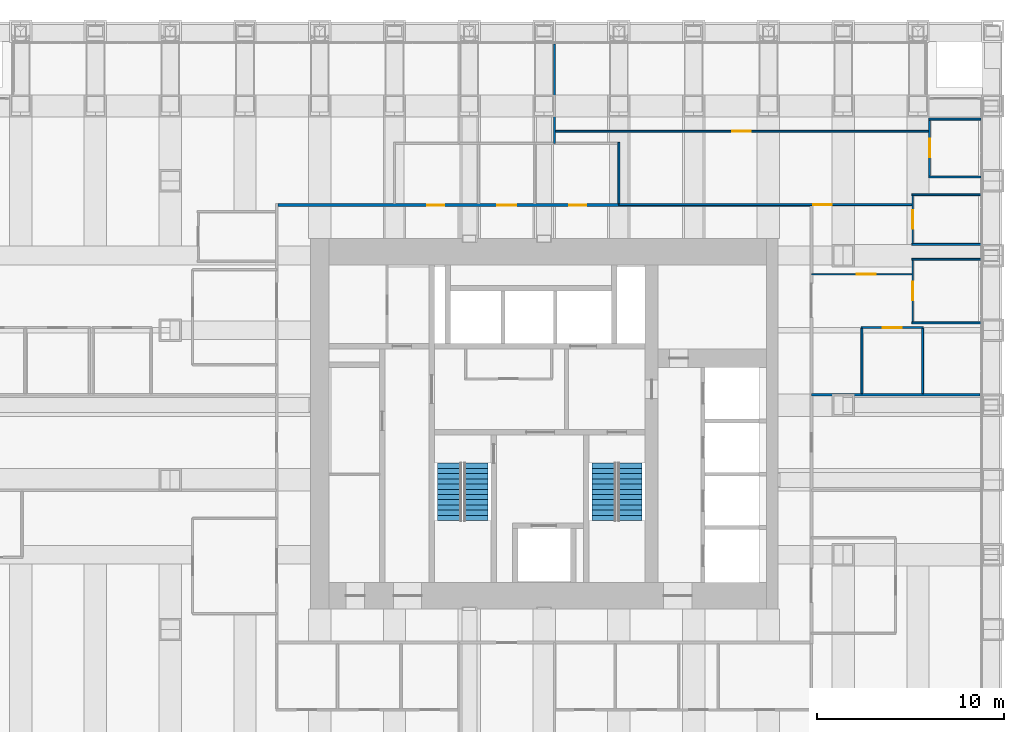
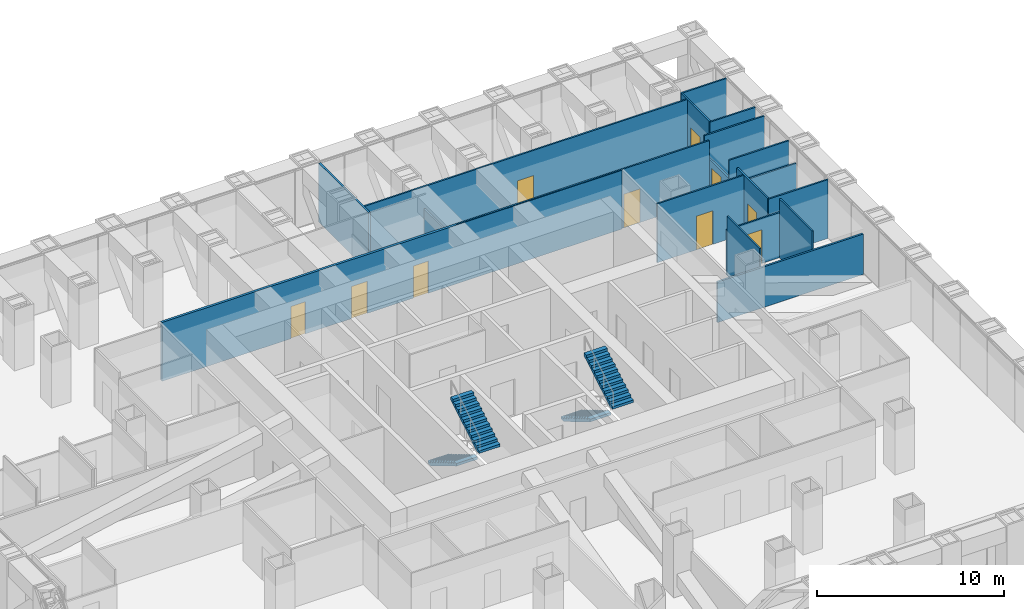
# One storey, part 15 of 18: 19 walls, 10 doors, 4 stair flights, 10 openings, 2 elements without a shape of their own.
"""IFC4 building model written with IfcOpenShell, lengths in metres."""

from ifc_helpers import new_model, si_unit, direction, frame, frame_2d, origin, place, context, subcontext, project, spatial, polyline, rectangle, outline, extrude, material, layer, layer_set, type_object, element, fill, aggregate, save


model = new_model("IFC4")

# Units and contexts
model_context = context("Model", 3, precision=1e-05, world=origin(), true_north=direction((0.0, 1.0)))
body_context = subcontext(model_context, "Body", "Model", "MODEL_VIEW")
ifc_project = project(units=[si_unit("LENGTHUNIT", "METRE"), si_unit("AREAUNIT", "SQUARE_METRE"), si_unit("VOLUMEUNIT", "CUBIC_METRE"), si_unit("PLANEANGLEUNIT", "RADIAN"), si_unit("MASSUNIT", "GRAM", prefix="KILO")], contexts=[model_context])

# Site, building, storey
site_placement = place(None, origin())
site = spatial("IfcSite", under=ifc_project, at=site_placement, CompositionType="ELEMENT")
building_placement = place(site_placement, origin())
building = spatial("IfcBuilding", under=site, at=building_placement, Name="Rimbunsela Tower", CompositionType="ELEMENT")
storey_placement = place(building_placement, frame((0.0, 0.0, 43.0)))
storey = spatial("IfcBuildingStorey", under=building, at=storey_placement, Name="L10", CompositionType="ELEMENT", Elevation=43.0)

# Wall, opening, door
ifc_material_1 = material(Name="Gypsum board on steel studs", Category="steel")
ifc_layer_1 = layer(ifc_material_1, 0.10009765625)
ifc_layer_set_1 = layer_set([ifc_layer_1], Name="Office partition 100")
wall_type_1 = type_object("IfcWallType", Name="Office partition 100", PredefinedType="PARTITIONING", material=ifc_layer_set_1)
wall_1_placement = place(storey_placement, frame((46.949951171875, 32.14990234375, 0.0), z_axis=(0.0, 0.0, 1.0), x_axis=(1.0, 0.0, 0.0)))
wall_1 = element("IfcWall", 1, at=wall_1_placement, inside=storey, type_object=wall_type_1, Name="Office partition", PredefinedType="PARTITIONING", context=body_context, shape_type="SweptSolid", body=[
    extrude(rectangle(XDim=3.35009765625, YDim=0.10009765625, at=frame_2d((1.675048828125, 0.0))), origin(), (0.0, 0.0, 1.0), 2.949951171875),
])
opening_1_placement = place(wall_1_placement, frame((1.175048828125, 0.0, 0.0)))
opening_1 = element("IfcOpeningElement", 2, at=opening_1_placement, cuts=wall_1, Name="Opening D16", PredefinedType="OPENING", context=body_context, shape_type="SweptSolid", body=[
    extrude(rectangle(XDim=1.0, YDim=2.199951171875, at=frame_2d((0.5, 1.10009765625))), frame((0.0, 0.06005859375, 0.0), z_axis=(0.0, -1.0, 0.0), x_axis=(1.0, 0.0, 0.0)), (0.0, 0.0, 1.0), 0.1201171875),
])
ifc_material_2 = material(Name="Timber door", Category="wood")
door_type_1 = type_object("IfcDoorType", Name="Office door 1000", OperationType="SINGLE_SWING_LEFT", PredefinedType="DOOR", material=ifc_material_2)
door_1_placement = place(opening_1_placement, origin())
door_1 = element("IfcDoor", 3, at=door_1_placement, inside=storey, type_object=door_type_1, Name="Office door", OperationType="SINGLE_SWING_LEFT", OverallHeight=2.199951171875, OverallWidth=1.0, PredefinedType="DOOR", context=body_context, shape_type="SweptSolid", body=[
    extrude(rectangle(XDim=1.0, YDim=2.199951171875, at=frame_2d((0.5, 1.10009765625))), frame((0.0, 0.02490234375, 0.0), z_axis=(0.0, -1.0, 0.0), x_axis=(1.0, 0.0, 0.0)), (0.0, 0.0, 1.0), 0.050048828125),
])
fill(opening_1, door_1)

# Walls
wall_2_placement = place(storey_placement, frame((49.669921875, 32.39990234375, 0.0), z_axis=(0.0, 0.0, 1.0), x_axis=(1.0, 0.0, 0.0)))
element("IfcWall", 4, at=wall_2_placement, inside=storey, type_object=wall_type_1, Name="Office partition", PredefinedType="PARTITIONING", context=body_context, shape_type="SweptSolid", body=[
    extrude(rectangle(XDim=3.7001953125, YDim=0.10009765625, at=frame_2d((1.85009765625, 0.0))), origin(), (0.0, 0.0, 1.0), 3.85009765625),
])
wall_3_placement = place(storey_placement, frame((49.669921875, 35.800048828125, 0.0), z_axis=(0.0, 0.0, 1.0), x_axis=(1.0, 0.0, 0.0)))
element("IfcWall", 5, at=wall_3_placement, inside=storey, type_object=wall_type_1, Name="Office partition", PredefinedType="PARTITIONING", context=body_context, shape_type="SweptSolid", body=[
    extrude(rectangle(XDim=3.7001953125, YDim=0.10009765625, at=frame_2d((1.85009765625, 0.0))), origin(), (0.0, 0.0, 1.0), 2.85009765625),
])
for number, where, z_axis, x_axis, name in (
    (6, (49.669921875, 36.60009765625, 0.0), (0.0, 0.0, 1.0), (1.0, 0.0, 0.0), "Office partition"),
    (7, (49.669921875, 39.25, 0.0), (0.0, 0.0, 1.0), (1.0, 0.0, 0.0), "Office partition"),
):
    element("IfcWall", number, at=place(storey_placement, frame(where, z_axis=z_axis, x_axis=x_axis)), inside=storey, type_object=wall_type_1, Name=name, PredefinedType="PARTITIONING", context=body_context, shape_type="SweptSolid", body=[
        extrude(rectangle(XDim=3.7001953125, YDim=0.10009765625, at=frame_2d((1.85009765625, 0.0))), origin(), (0.0, 0.0, 1.0), 3.85009765625),
    ])
for number, where, z_axis, x_axis, name in (
    (8, (50.570068359375, 40.199951171875, 0.0), (0.0, 0.0, 1.0), (1.0, 0.0, 0.0), "Office partition"),
    (9, (50.570068359375, 43.300048828125, 0.0), (0.0, 0.0, 1.0), (1.0, 0.0, 0.0), "Office partition"),
):
    element("IfcWall", number, at=place(storey_placement, frame(where, z_axis=z_axis, x_axis=x_axis)), inside=storey, type_object=wall_type_1, Name=name, PredefinedType="PARTITIONING", context=body_context, shape_type="SweptSolid", body=[
        extrude(rectangle(XDim=2.800048828125, YDim=0.10009765625, at=frame_2d((1.39990234375, 0.0))), origin(), (0.0, 0.0, 1.0), 3.85009765625),
    ])
wall_4_placement = place(storey_placement, frame((47.0, 28.610107421875, 0.0), z_axis=(0.0, 0.0, 1.0), x_axis=(0.0, 1.0, 0.0)))
element("IfcWall", 10, at=wall_4_placement, inside=storey, type_object=wall_type_1, Name="Office partition", PredefinedType="PARTITIONING", context=body_context, shape_type="SweptSolid", body=[
    extrude(rectangle(XDim=3.489990234375, YDim=0.10009765625, at=frame_2d((1.7451171875, 0.0))), origin(), (0.0, 0.0, 1.0), 3.85009765625),
])

# Wall, opening, door
wall_5_placement = place(storey_placement, frame((49.719970703125, 32.449951171875, 0.0), z_axis=(0.0, 0.0, 1.0), x_axis=(0.0, 1.0, 0.0)))
wall_5 = element("IfcWall", 11, at=wall_5_placement, inside=storey, type_object=wall_type_1, Name="Office partition", PredefinedType="PARTITIONING", context=body_context, shape_type="SweptSolid", body=[
    extrude(rectangle(XDim=3.300048828125, YDim=0.10009765625, at=frame_2d((1.64990234375, 0.0))), origin(), (0.0, 0.0, 1.0), 3.85009765625),
])
opening_2_placement = place(wall_5_placement, frame((1.14990234375, 0.0, 0.0)))
opening_2 = element("IfcOpeningElement", 12, at=opening_2_placement, cuts=wall_5, Name="Opening D16", PredefinedType="OPENING", context=body_context, shape_type="SweptSolid", body=[
    extrude(rectangle(XDim=1.0, YDim=2.199951171875, at=frame_2d((0.5, 1.10009765625))), frame((0.0, 0.06005859375, 0.0), z_axis=(0.0, -1.0, 0.0), x_axis=(1.0, 0.0, 0.0)), (0.0, 0.0, 1.0), 0.1201171875),
])
door_2_placement = place(opening_2_placement, origin())
door_2 = element("IfcDoor", 13, at=door_2_placement, inside=storey, type_object=door_type_1, Name="Office door", OperationType="SINGLE_SWING_LEFT", OverallHeight=2.199951171875, OverallWidth=1.0, PredefinedType="DOOR", context=body_context, shape_type="SweptSolid", body=[
    extrude(rectangle(XDim=1.0, YDim=2.199951171875, at=frame_2d((0.5, 1.10009765625))), frame((0.0, 0.02490234375, 0.0), z_axis=(0.0, -1.0, 0.0), x_axis=(1.0, 0.0, 0.0)), (0.0, 0.0, 1.0), 0.050048828125),
])
fill(opening_2, door_2)

wall_6_placement = place(storey_placement, frame((49.719970703125, 36.64990234375, 0.0), z_axis=(0.0, 0.0, 1.0), x_axis=(0.0, 1.0, 0.0)))
wall_6 = element("IfcWall", 14, at=wall_6_placement, inside=storey, type_object=wall_type_1, Name="Office partition", PredefinedType="PARTITIONING", context=body_context, shape_type="SweptSolid", body=[
    extrude(rectangle(XDim=2.550048828125, YDim=0.10009765625, at=frame_2d((1.27490234375, 0.0))), origin(), (0.0, 0.0, 1.0), 2.64990234375),
])
opening_3_placement = place(wall_6_placement, frame((0.77490234375, 0.0, 0.0)))
opening_3 = element("IfcOpeningElement", 15, at=opening_3_placement, cuts=wall_6, Name="Opening D16", PredefinedType="OPENING", context=body_context, shape_type="SweptSolid", body=[
    extrude(rectangle(XDim=1.0, YDim=2.199951171875, at=frame_2d((0.5, 1.10009765625))), frame((0.0, 0.06005859375, 0.0), z_axis=(0.0, -1.0, 0.0), x_axis=(1.0, 0.0, 0.0)), (0.0, 0.0, 1.0), 0.1201171875),
])
door_3_placement = place(opening_3_placement, origin())
door_3 = element("IfcDoor", 16, at=door_3_placement, inside=storey, type_object=door_type_1, Name="Office door", OperationType="SINGLE_SWING_LEFT", OverallHeight=2.199951171875, OverallWidth=1.0, PredefinedType="DOOR", context=body_context, shape_type="SweptSolid", body=[
    extrude(rectangle(XDim=1.0, YDim=2.199951171875, at=frame_2d((0.5, 1.10009765625))), frame((0.0, 0.02490234375, 0.0), z_axis=(0.0, -1.0, 0.0), x_axis=(1.0, 0.0, 0.0)), (0.0, 0.0, 1.0), 0.050048828125),
])
fill(opening_3, door_3)

# Wall
wall_7_placement = place(storey_placement, frame((50.25, 28.610107421875, 0.0), z_axis=(0.0, 0.0, 1.0), x_axis=(0.0, 1.0, 0.0)))
element("IfcWall", 17, at=wall_7_placement, inside=storey, type_object=wall_type_1, Name="Office partition", PredefinedType="PARTITIONING", context=body_context, shape_type="SweptSolid", body=[
    extrude(rectangle(XDim=3.489990234375, YDim=0.10009765625, at=frame_2d((1.7451171875, 0.0))), origin(), (0.0, 0.0, 1.0), 3.85009765625),
])

# Wall, opening, door
wall_8_placement = place(storey_placement, frame((50.6201171875, 40.25, 0.0), z_axis=(0.0, 0.0, 1.0), x_axis=(0.0, 1.0, 0.0)))
wall_8 = element("IfcWall", 18, at=wall_8_placement, inside=storey, type_object=wall_type_1, Name="Office partition", PredefinedType="PARTITIONING", context=body_context, shape_type="SweptSolid", body=[
    extrude(rectangle(XDim=3.0, YDim=0.10009765625, at=frame_2d((1.5, 0.0))), origin(), (0.0, 0.0, 1.0), 3.85009765625),
])
opening_4_placement = place(wall_8_placement, frame((1.0, 0.0, 0.0)))
opening_4 = element("IfcOpeningElement", 19, at=opening_4_placement, cuts=wall_8, Name="Opening D16", PredefinedType="OPENING", context=body_context, shape_type="SweptSolid", body=[
    extrude(rectangle(XDim=1.0, YDim=2.199951171875, at=frame_2d((0.5, 1.10009765625))), frame((0.0, 0.06005859375, 0.0), z_axis=(0.0, -1.0, 0.0), x_axis=(1.0, 0.0, 0.0)), (0.0, 0.0, 1.0), 0.1201171875),
])
door_4_placement = place(opening_4_placement, origin())
door_4 = element("IfcDoor", 20, at=door_4_placement, inside=storey, type_object=door_type_1, Name="Office door", OperationType="SINGLE_SWING_LEFT", OverallHeight=2.199951171875, OverallWidth=1.0, PredefinedType="DOOR", context=body_context, shape_type="SweptSolid", body=[
    extrude(rectangle(XDim=1.0, YDim=2.199951171875, at=frame_2d((0.5, 1.10009765625))), frame((0.0, 0.02490234375, 0.0), z_axis=(0.0, -1.0, 0.0), x_axis=(1.0, 0.0, 0.0)), (0.0, 0.0, 1.0), 0.050048828125),
])
fill(opening_4, door_4)

wall_9_placement = place(storey_placement, frame((49.669921875, 35.0, 0.0), z_axis=(0.0, 0.0, 1.0), x_axis=(-1.0, 0.0, 0.0)))
wall_9 = element("IfcWall", 21, at=wall_9_placement, inside=storey, type_object=wall_type_1, Name="Office partition", PredefinedType="PARTITIONING", context=body_context, shape_type="SweptSolid", body=[
    extrude(rectangle(XDim=5.369873046875, YDim=0.10009765625, at=frame_2d((2.68505859375, 0.0))), origin(), (0.0, 0.0, 1.0), 3.85009765625),
])
opening_5_placement = place(wall_9_placement, frame((1.93505859375, 0.0, 0.0)))
opening_5 = element("IfcOpeningElement", 22, at=opening_5_placement, cuts=wall_9, Name="Opening D17", PredefinedType="OPENING", context=body_context, shape_type="SweptSolid", body=[
    extrude(rectangle(XDim=1.0, YDim=2.199951171875, at=frame_2d((0.5, 1.10009765625))), frame((0.0, 0.06005859375, 0.0), z_axis=(0.0, -1.0, 0.0), x_axis=(1.0, 0.0, 0.0)), (0.0, 0.0, 1.0), 0.1201171875),
])
ifc_material_3 = material(Name="Glazed aluminium door", Category="aluminium")
door_type_2 = type_object("IfcDoorType", Name="Meeting room door 1000 glazed", OperationType="SINGLE_SWING_RIGHT", PredefinedType="DOOR", material=ifc_material_3)
door_5_placement = place(opening_5_placement, origin())
door_5 = element("IfcDoor", 23, at=door_5_placement, inside=storey, type_object=door_type_2, Name="Open office screen door", OperationType="SINGLE_SWING_RIGHT", OverallHeight=2.199951171875, OverallWidth=1.0, PredefinedType="DOOR", context=body_context, shape_type="SweptSolid", body=[
    extrude(rectangle(XDim=1.0, YDim=2.199951171875, at=frame_2d((0.5, 1.10009765625))), frame((0.0, 0.02490234375, 0.0), z_axis=(0.0, -1.0, 0.0), x_axis=(1.0, 0.0, 0.0)), (0.0, 0.0, 1.0), 0.050048828125),
])
fill(opening_5, door_5)

wall_10_placement = place(storey_placement, frame((49.669921875, 38.72509765625, 0.0), z_axis=(0.0, 0.0, 1.0), x_axis=(-1.0, 0.0, 0.0)))
wall_10 = element("IfcWall", 24, at=wall_10_placement, inside=storey, type_object=wall_type_1, Name="Office partition", PredefinedType="PARTITIONING", context=body_context, shape_type="SweptSolid", body=[
    extrude(rectangle(XDim=15.669921875, YDim=0.10009765625, at=frame_2d((7.8349609375, 0.0))), origin(), (0.0, 0.0, 1.0), 3.85009765625),
])
opening_6_placement = place(wall_10_placement, frame((4.284912109375, 0.0, 0.0)))
opening_6 = element("IfcOpeningElement", 25, at=opening_6_placement, cuts=wall_10, Name="Opening D17", PredefinedType="OPENING", context=body_context, shape_type="SweptSolid", body=[
    extrude(rectangle(XDim=1.0, YDim=2.199951171875, at=frame_2d((0.5, 1.10009765625))), frame((0.0, 0.06005859375, 0.0), z_axis=(0.0, -1.0, 0.0), x_axis=(1.0, 0.0, 0.0)), (0.0, 0.0, 1.0), 0.1201171875),
])
door_6_placement = place(opening_6_placement, origin())
door_6 = element("IfcDoor", 26, at=door_6_placement, inside=storey, type_object=door_type_2, Name="Open office screen door", OperationType="SINGLE_SWING_RIGHT", OverallHeight=2.199951171875, OverallWidth=1.0, PredefinedType="DOOR", context=body_context, shape_type="SweptSolid", body=[
    extrude(rectangle(XDim=1.0, YDim=2.199951171875, at=frame_2d((0.5, 1.10009765625))), frame((0.0, 0.02490234375, 0.0), z_axis=(0.0, -1.0, 0.0), x_axis=(1.0, 0.0, 0.0)), (0.0, 0.0, 1.0), 0.050048828125),
])
fill(opening_6, door_6)

wall_11_placement = place(storey_placement, frame((50.570068359375, 42.64990234375, 0.0), z_axis=(0.0, 0.0, 1.0), x_axis=(-1.0, 0.0, 0.0)))
wall_11 = element("IfcWall", 27, at=wall_11_placement, inside=storey, type_object=wall_type_1, Name="Office partition", PredefinedType="PARTITIONING", context=body_context, shape_type="SweptSolid", body=[
    extrude(rectangle(XDim=20.01904296875, YDim=0.10009765625, at=frame_2d((10.009521484375, 0.0))), origin(), (0.0, 0.0, 1.0), 3.85009765625),
])
opening_7_placement = place(wall_11_placement, frame((9.509521484375, 0.0, 0.0)))
opening_7 = element("IfcOpeningElement", 28, at=opening_7_placement, cuts=wall_11, Name="Opening D17", PredefinedType="OPENING", context=body_context, shape_type="SweptSolid", body=[
    extrude(rectangle(XDim=1.0, YDim=2.199951171875, at=frame_2d((0.5, 1.10009765625))), frame((0.0, 0.06005859375, 0.0), z_axis=(0.0, -1.0, 0.0), x_axis=(1.0, 0.0, 0.0)), (0.0, 0.0, 1.0), 0.1201171875),
])
door_7_placement = place(opening_7_placement, origin())
door_7 = element("IfcDoor", 29, at=door_7_placement, inside=storey, type_object=door_type_2, Name="Open office screen door", OperationType="SINGLE_SWING_RIGHT", OverallHeight=2.199951171875, OverallWidth=1.0, PredefinedType="DOOR", context=body_context, shape_type="SweptSolid", body=[
    extrude(rectangle(XDim=1.0, YDim=2.199951171875, at=frame_2d((0.5, 1.10009765625))), frame((0.0, 0.02490234375, 0.0), z_axis=(0.0, -1.0, 0.0), x_axis=(1.0, 0.0, 0.0)), (0.0, 0.0, 1.0), 0.050048828125),
])
fill(opening_7, door_7)

# Wall, openings, doors
ifc_material_4 = material(Name="Fire-rated gypsum board on steel studs, EI 60", Category="steel")
ifc_layer_2 = layer(ifc_material_4, 0.14990234375)
ifc_layer_set_2 = layer_set([ifc_layer_2], Name="Rated corridor wall 150")
wall_type_2 = type_object("IfcWallType", Name="Rated corridor wall 150", PredefinedType="PARTITIONING", material=ifc_layer_set_2)
wall_12_placement = place(storey_placement, frame((15.77490234375, 38.699951171875, 0.0), z_axis=(0.0, 0.0, 1.0), x_axis=(1.0, 0.0, 0.0)))
wall_12 = element("IfcWall", 30, at=wall_12_placement, inside=storey, type_object=wall_type_2, Name="Corridor wall north", PredefinedType="PARTITIONING", context=body_context, shape_type="SweptSolid", body=[
    extrude(rectangle(XDim=28.4501953125, YDim=0.14990234375, at=frame_2d((14.22509765625, 0.0))), origin(), (0.0, 0.0, 1.0), 3.85009765625),
])
opening_8_placement = place(wall_12_placement, frame((7.97509765625, 0.0, 0.0)))
opening_8 = element("IfcOpeningElement", 31, at=opening_8_placement, cuts=wall_12, Name="Opening D04", PredefinedType="OPENING", context=body_context, shape_type="SweptSolid", body=[
    extrude(rectangle(XDim=0.89990234375, YDim=2.10009765625, at=frame_2d((0.449951171875, 1.050048828125))), frame((0.0, 0.0849609375, 0.0), z_axis=(0.0, -1.0, 0.0), x_axis=(1.0, 0.0, 0.0)), (0.0, 0.0, 1.0), 0.169921875),
])
opening_9_placement = place(wall_12_placement, frame((11.72509765625, 0.0, 0.0)))
opening_9 = element("IfcOpeningElement", 32, at=opening_9_placement, cuts=wall_12, Name="Opening D05", PredefinedType="OPENING", context=body_context, shape_type="SweptSolid", body=[
    extrude(rectangle(XDim=1.0, YDim=2.10009765625, at=frame_2d((0.5, 1.050048828125))), frame((0.0, 0.0849609375, 0.0), z_axis=(0.0, -1.0, 0.0), x_axis=(1.0, 0.0, 0.0)), (0.0, 0.0, 1.0), 0.169921875),
])
opening_10_placement = place(wall_12_placement, frame((15.574951171875, 0.0, 0.0)))
opening_10 = element("IfcOpeningElement", 33, at=opening_10_placement, cuts=wall_12, Name="Opening D04", PredefinedType="OPENING", context=body_context, shape_type="SweptSolid", body=[
    extrude(rectangle(XDim=0.89990234375, YDim=2.10009765625, at=frame_2d((0.449951171875, 1.050048828125))), frame((0.0, 0.0849609375, 0.0), z_axis=(0.0, -1.0, 0.0), x_axis=(1.0, 0.0, 0.0)), (0.0, 0.0, 1.0), 0.169921875),
])
ifc_material_5 = material(Name="Timber door", Category="wood")
door_type_3 = type_object("IfcDoorType", Name="Accessible WC door 1000", OperationType="SLIDING_TO_LEFT", PredefinedType="DOOR", material=ifc_material_5)
door_8_placement = place(opening_9_placement, origin())
door_8 = element("IfcDoor", 34, at=door_8_placement, inside=storey, type_object=door_type_3, Name="Accessible WC door", OperationType="SLIDING_TO_LEFT", OverallHeight=2.10009765625, OverallWidth=1.0, PredefinedType="DOOR", context=body_context, shape_type="SweptSolid", body=[
    extrude(rectangle(XDim=1.0, YDim=2.10009765625, at=frame_2d((0.5, 1.050048828125))), frame((0.0, 0.02490234375, 0.0), z_axis=(0.0, -1.0, 0.0), x_axis=(1.0, 0.0, 0.0)), (0.0, 0.0, 1.0), 0.050048828125),
])
fill(opening_9, door_8)
ifc_material_6 = material(Name="Timber door", Category="wood")
door_type_4 = type_object("IfcDoorType", Name="Toilet door 900", OperationType="SINGLE_SWING_LEFT", PredefinedType="DOOR", material=ifc_material_6)
door_9_placement = place(opening_8_placement, origin())
door_9 = element("IfcDoor", 35, at=door_9_placement, inside=storey, type_object=door_type_4, Name="Female WC door", OperationType="SINGLE_SWING_LEFT", OverallHeight=2.10009765625, OverallWidth=0.89990234375, PredefinedType="DOOR", context=body_context, shape_type="SweptSolid", body=[
    extrude(rectangle(XDim=0.89990234375, YDim=2.10009765625, at=frame_2d((0.449951171875, 1.050048828125))), frame((0.0, 0.02490234375, 0.0), z_axis=(0.0, -1.0, 0.0), x_axis=(1.0, 0.0, 0.0)), (0.0, 0.0, 1.0), 0.050048828125),
])
fill(opening_8, door_9)
door_10_placement = place(opening_10_placement, origin())
door_10 = element("IfcDoor", 36, at=door_10_placement, inside=storey, type_object=door_type_4, Name="Male WC door", OperationType="SINGLE_SWING_LEFT", OverallHeight=2.10009765625, OverallWidth=0.89990234375, PredefinedType="DOOR", context=body_context, shape_type="SweptSolid", body=[
    extrude(rectangle(XDim=0.89990234375, YDim=2.10009765625, at=frame_2d((0.449951171875, 1.050048828125))), frame((0.0, 0.02490234375, 0.0), z_axis=(0.0, -1.0, 0.0), x_axis=(1.0, 0.0, 0.0)), (0.0, 0.0, 1.0), 0.050048828125),
])
fill(opening_10, door_10)

# Walls
ifc_material_7 = material(Name="Gypsum board on steel studs", Category="steel")
ifc_layer_3 = layer(ifc_material_7, 0.1201171875)
ifc_layer_set_3 = layer_set([ifc_layer_3], Name="Tenancy partition 120")
wall_type_3 = type_object("IfcWallType", Name="Tenancy partition 120", PredefinedType="PARTITIONING", material=ifc_layer_set_3)
wall_13_placement = place(storey_placement, frame((44.300048828125, 28.550048828125, 0.0), z_axis=(0.0, 0.0, 1.0), x_axis=(1.0, 0.0, 0.0)))
element("IfcWall", 37, at=wall_13_placement, inside=storey, type_object=wall_type_3, Name="Tenancy partition", PredefinedType="PARTITIONING", context=body_context, shape_type="SweptSolid", body=[
    extrude(rectangle(XDim=9.02001953125, YDim=0.1201171875, at=frame_2d((4.510009765625, 0.0))), origin(), (0.0, 0.0, 1.0), 2.64990234375),
])
wall_14_placement = place(storey_placement, frame((30.550048828125, 42.0, 0.0), z_axis=(0.0, 0.0, 1.0), x_axis=(0.0, 1.0, 0.0)))
element("IfcWall", 38, at=wall_14_placement, inside=storey, type_object=wall_type_3, Name="Tenancy partition", PredefinedType="PARTITIONING", context=body_context, shape_type="SweptSolid", body=[
    extrude(rectangle(XDim=5.320068359375, YDim=0.1201171875, at=frame_2d((2.66015625, 0.0))), origin(), (0.0, 0.0, 1.0), 3.85009765625),
])
ifc_material_8 = material(Name="Concrete blockwork", Category="masonry")
ifc_layer_4 = layer(ifc_material_8, 0.10009765625)
ifc_layer_set_4 = layer_set([ifc_layer_4], Name="Toilet partition 100")
wall_type_4 = type_object("IfcWallType", Name="Toilet partition 100", PredefinedType="PARTITIONING", material=ifc_layer_set_4)
wall_15_placement = place(storey_placement, frame((34.0, 38.77490234375, 0.0), z_axis=(0.0, 0.0, 1.0), x_axis=(0.0, 1.0, 0.0)))
element("IfcWall", 39, at=wall_15_placement, inside=storey, type_object=wall_type_4, Name="Toilet block wall east", PredefinedType="PARTITIONING", context=body_context, shape_type="SweptSolid", body=[
    extrude(rectangle(XDim=3.275146484375, YDim=0.10009765625, at=frame_2d((1.6376953125, 0.0))), origin(), (0.0, 0.0, 1.0), 2.85009765625),
])

# Stair, stair flights
ifc_material_9 = material(Name="Concrete fc' 35 MPa", Category="concrete")
stair_type = type_object("IfcStairType", Name="Exit stair 24 risers", PredefinedType="HALF_TURN_STAIR", material=ifc_material_9)
stair_1_placement = place(storey_placement, origin())
stair_1 = element("IfcStair", 40, at=stair_1_placement, inside=storey, type_object=stair_type, Name="Exit stair A L10", PredefinedType="HALF_TURN_STAIR")
ifc_material_10 = material(Name="Concrete fc' 35 MPa", Category="concrete")
stair_flight_type = type_object("IfcStairFlightType", Name="Stair flight 12 risers 167", PredefinedType="STRAIGHT", material=ifc_material_10)
stair_flight_1_placement = place(storey_placement, frame((24.949951171875, 24.89990234375, 0.0), z_axis=(0.0, 0.0, 1.0), x_axis=(0.0, -1.0, 0.0)))
stair_flight_1 = element("IfcStairFlight", 41, at=stair_flight_1_placement, type_object=stair_flight_type, Name="ST-A flight 1", NumberOfRisers=12, NumberOfTreads=11, PredefinedType="STRAIGHT", RiserHeight=0.166666667, TreadLength=0.28, context=body_context, shape_type="SweptSolid", body=[
    extrude(outline(polyline([(0.0, 0.0), (0.0, 0.166748046875), (0.280029296875, 0.166748046875), (0.280029296875, 0.333251953125), (0.56005859375, 0.333251953125), (0.56005859375, 0.5), (0.840087890625, 0.5), (0.840087890625, 0.666748046875), (1.1201171875, 0.666748046875), (1.1201171875, 0.833251953125), (1.39990234375, 0.833251953125), (1.39990234375, 1.0), (1.679931640625, 1.0), (1.679931640625, 1.166748046875), (1.9599609375, 1.166748046875), (1.9599609375, 1.333251953125), (2.239990234375, 1.333251953125), (2.239990234375, 1.5), (2.52001953125, 1.5), (2.52001953125, 1.666748046875), (2.800048828125, 1.666748046875), (2.800048828125, 1.833251953125), (3.080078125, 1.833251953125), (3.080078125, 2.0), (3.080078125, 1.658935546875), (0.29296875, 0.0), (0.0, 0.0)])), frame((0.0, 0.64990234375, 0.0), z_axis=(0.0, -1.0, 0.0), x_axis=(1.0, 0.0, 0.0)), (0.0, 0.0, 1.0), 1.300048828125),
])
stair_flight_2_placement = place(storey_placement, frame((26.35009765625, 21.820068359375, 2.0), z_axis=(0.0, 0.0, 1.0), x_axis=(0.0, 1.0, 0.0)))
stair_flight_2 = element("IfcStairFlight", 42, at=stair_flight_2_placement, type_object=stair_flight_type, Name="ST-A flight 2", NumberOfRisers=12, NumberOfTreads=11, PredefinedType="STRAIGHT", RiserHeight=0.166666667, TreadLength=0.28, context=body_context, shape_type="SweptSolid", body=[
    extrude(outline(polyline([(0.0, 0.0), (0.0, 0.166748046875), (0.280029296875, 0.166748046875), (0.280029296875, 0.333251953125), (0.56005859375, 0.333251953125), (0.56005859375, 0.5), (0.840087890625, 0.5), (0.840087890625, 0.666748046875), (1.1201171875, 0.666748046875), (1.1201171875, 0.833251953125), (1.39990234375, 0.833251953125), (1.39990234375, 1.0), (1.679931640625, 1.0), (1.679931640625, 1.166748046875), (1.9599609375, 1.166748046875), (1.9599609375, 1.333251953125), (2.239990234375, 1.333251953125), (2.239990234375, 1.5), (2.52001953125, 1.5), (2.52001953125, 1.666748046875), (2.800048828125, 1.666748046875), (2.800048828125, 1.833251953125), (3.080078125, 1.833251953125), (3.080078125, 2.0), (3.080078125, 1.658935546875), (0.29296875, 0.0), (0.0, 0.0)])), frame((0.0, 0.64990234375, 0.0), z_axis=(0.0, -1.0, 0.0), x_axis=(1.0, 0.0, 0.0)), (0.0, 0.0, 1.0), 1.300048828125),
])
aggregate(stair_1, [stair_flight_1, stair_flight_2])

stair_2_placement = place(storey_placement, origin())
stair_2 = element("IfcStair", 43, at=stair_2_placement, inside=storey, type_object=stair_type, Name="Exit stair B L10", PredefinedType="HALF_TURN_STAIR")
stair_flight_3_placement = place(storey_placement, frame((33.199951171875, 24.89990234375, 0.0), z_axis=(0.0, 0.0, 1.0), x_axis=(0.0, -1.0, 0.0)))
stair_flight_3 = element("IfcStairFlight", 44, at=stair_flight_3_placement, type_object=stair_flight_type, Name="ST-B flight 1", NumberOfRisers=12, NumberOfTreads=11, PredefinedType="STRAIGHT", RiserHeight=0.166666667, TreadLength=0.28, context=body_context, shape_type="SweptSolid", body=[
    extrude(outline(polyline([(0.0, 0.0), (0.0, 0.166748046875), (0.280029296875, 0.166748046875), (0.280029296875, 0.333251953125), (0.56005859375, 0.333251953125), (0.56005859375, 0.5), (0.840087890625, 0.5), (0.840087890625, 0.666748046875), (1.1201171875, 0.666748046875), (1.1201171875, 0.833251953125), (1.39990234375, 0.833251953125), (1.39990234375, 1.0), (1.679931640625, 1.0), (1.679931640625, 1.166748046875), (1.9599609375, 1.166748046875), (1.9599609375, 1.333251953125), (2.239990234375, 1.333251953125), (2.239990234375, 1.5), (2.52001953125, 1.5), (2.52001953125, 1.666748046875), (2.800048828125, 1.666748046875), (2.800048828125, 1.833251953125), (3.080078125, 1.833251953125), (3.080078125, 2.0), (3.080078125, 1.658935546875), (0.29296875, 0.0), (0.0, 0.0)])), frame((0.0, 0.64990234375, 0.0), z_axis=(0.0, -1.0, 0.0), x_axis=(1.0, 0.0, 0.0)), (0.0, 0.0, 1.0), 1.300048828125),
])
stair_flight_4_placement = place(storey_placement, frame((34.60009765625, 21.820068359375, 2.0), z_axis=(0.0, 0.0, 1.0), x_axis=(0.0, 1.0, 0.0)))
stair_flight_4 = element("IfcStairFlight", 45, at=stair_flight_4_placement, type_object=stair_flight_type, Name="ST-B flight 2", NumberOfRisers=12, NumberOfTreads=11, PredefinedType="STRAIGHT", RiserHeight=0.166666667, TreadLength=0.28, context=body_context, shape_type="SweptSolid", body=[
    extrude(outline(polyline([(0.0, 0.0), (0.0, 0.166748046875), (0.280029296875, 0.166748046875), (0.280029296875, 0.333251953125), (0.56005859375, 0.333251953125), (0.56005859375, 0.5), (0.840087890625, 0.5), (0.840087890625, 0.666748046875), (1.1201171875, 0.666748046875), (1.1201171875, 0.833251953125), (1.39990234375, 0.833251953125), (1.39990234375, 1.0), (1.679931640625, 1.0), (1.679931640625, 1.166748046875), (1.9599609375, 1.166748046875), (1.9599609375, 1.333251953125), (2.239990234375, 1.333251953125), (2.239990234375, 1.5), (2.52001953125, 1.5), (2.52001953125, 1.666748046875), (2.800048828125, 1.666748046875), (2.800048828125, 1.833251953125), (3.080078125, 1.833251953125), (3.080078125, 2.0), (3.080078125, 1.658935546875), (0.29296875, 0.0), (0.0, 0.0)])), frame((0.0, 0.64990234375, 0.0), z_axis=(0.0, -1.0, 0.0), x_axis=(1.0, 0.0, 0.0)), (0.0, 0.0, 1.0), 1.300048828125),
])
aggregate(stair_2, [stair_flight_3, stair_flight_4])

save(model, "model.ifc")
